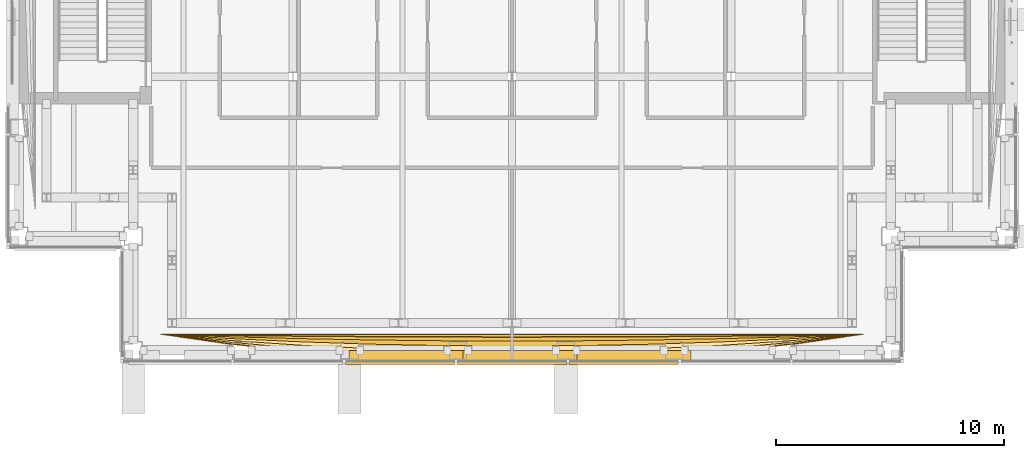
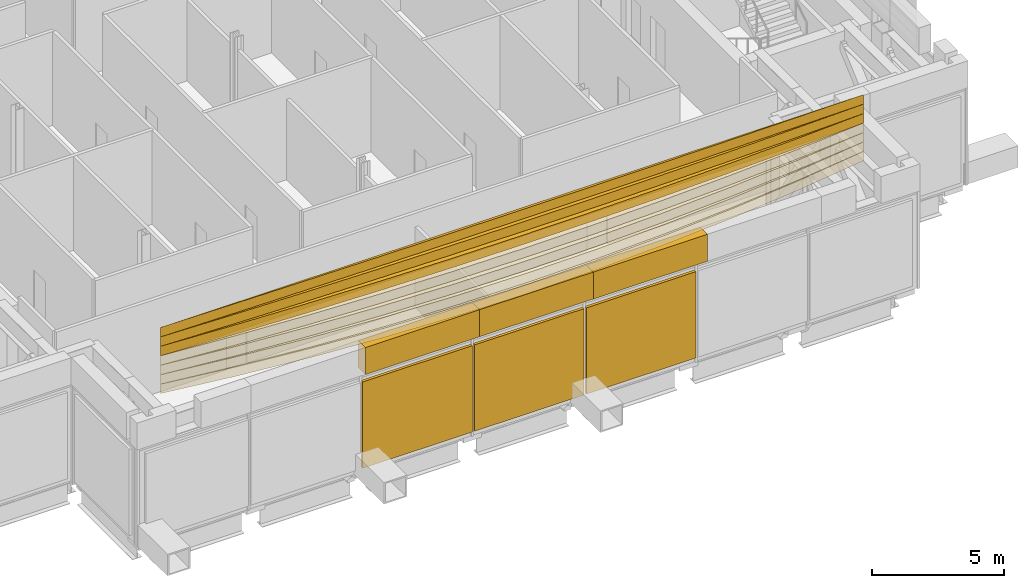
# One storey, part 18 of 29: 13 coverings.
"""IFC4 building model written with IfcOpenShell, lengths in metres."""

import ifcopenshell
import ifcopenshell.guid

model = None  # the IFC model being written
_history = None  # IfcOwnerHistory: only IFC2X3 demands one
_inside = {}  # id of a spatial element -> (the spatial element, [elements in it])
_under = {}  # id of a project, library or spatial element -> (it, [spatial elements below it])
_declared = {}  # id of a project -> (the project, [libraries it declares])
_typed = {}  # id of a type object -> (the type object, [elements of that type])
_made_of = {}  # id of a material, layer set ... -> (it, [elements and type objects made of it])


def new_model(schema):
    """Start an empty IFC model of exactly this schema.

    Asked for "IFC4X3", IfcOpenShell would pick the latest addendum, in which some entities
    have other attributes; the version numbers below select the first issue.
    IFC2X3 requires an IfcOwnerHistory on every rooted entity: one is made here for all.
    """
    global model, _history
    if schema == "IFC4X3":
        model = ifcopenshell.file(schema_version=(4, 3, 0, 0))
    else:
        model = ifcopenshell.file(schema=schema)
    _inside.clear()
    _under.clear()
    _declared.clear()
    _typed.clear()
    _made_of.clear()
    _history = None
    if model.schema == "IFC2X3":
        org = make("IfcOrganization", Name="unknown")
        user = make(
            "IfcPersonAndOrganization",
            ThePerson=make("IfcPerson", FamilyName="unknown"),
            TheOrganization=org,
        )
        app = make(
            "IfcApplication",
            ApplicationDeveloper=org,
            Version="unknown",
            ApplicationFullName="unknown",
            ApplicationIdentifier="unknown",
        )
        _history = make(
            "IfcOwnerHistory",
            OwningUser=user,
            OwningApplication=app,
            ChangeAction="ADDED",
            CreationDate=0,
        )
    return model


def make(cls, **values):
    """One entity of the class cls with the attributes given. An attribute that is None is left unset."""
    return model.create_entity(
        cls, **{name: value for name, value in values.items() if value is not None}
    )


def rooted(cls, **values):
    """An entity with a GlobalId (a new one), such as an element, a storey or a relation."""
    return make(cls, GlobalId=ifcopenshell.guid.new(), OwnerHistory=_history, **values)


def si_unit(unit_type, name, prefix=None):
    """IfcSIUnit, for example si_unit("LENGTHUNIT", "METRE", prefix="MILLI")."""
    return make("IfcSIUnit", UnitType=unit_type, Prefix=prefix, Name=name)


def assignment(units):
    """IfcUnitAssignment: the units of a project."""
    return None if units is None else make("IfcUnitAssignment", Units=units)


def point(xyz):
    """IfcCartesianPoint."""
    return None if xyz is None else make("IfcCartesianPoint", Coordinates=xyz)


def direction(xyz):
    """IfcDirection."""
    return None if xyz is None else make("IfcDirection", DirectionRatios=xyz)


def frame(location, z_axis=None, x_axis=None):
    """IfcAxis2Placement3D, a coordinate frame: its origin and axes. An axis left out is left unset."""
    return make(
        "IfcAxis2Placement3D",
        Location=point(location),
        Axis=direction(z_axis),
        RefDirection=direction(x_axis),
    )


def frame_2d(location, x_axis=None):
    """IfcAxis2Placement2D, a coordinate frame in the plane: its origin and x axis."""
    return make(
        "IfcAxis2Placement2D", Location=point(location), RefDirection=direction(x_axis)
    )


def origin():
    """The frame at (0, 0, 0) with its axes left unset."""
    return frame((0.0, 0.0, 0.0))


def origin_2d():
    """The frame at (0, 0) in the plane with its x axis left unset."""
    return frame_2d((0.0, 0.0))


def place(relative_to, where):
    """IfcLocalPlacement: puts the frame where relative to a parent placement (None: the world)."""
    return make(
        "IfcLocalPlacement", PlacementRelTo=relative_to, RelativePlacement=where
    )


def context(
    kind, dimensions, precision=None, world=None, true_north=None, identifier=None
):
    """IfcGeometricRepresentationContext, for example the 3D "Model" context."""
    return make(
        "IfcGeometricRepresentationContext",
        ContextIdentifier=identifier,
        ContextType=kind,
        CoordinateSpaceDimension=dimensions,
        Precision=precision,
        WorldCoordinateSystem=world,
        TrueNorth=true_north,
    )


def subcontext(parent, identifier, kind, view, scale=None):
    """IfcGeometricRepresentationSubContext, for example "Body" below "Model"."""
    return make(
        "IfcGeometricRepresentationSubContext",
        ContextIdentifier=identifier,
        ContextType=kind,
        ParentContext=parent,
        TargetScale=scale,
        TargetView=view,
    )


def project(units=None, contexts=None):
    """IfcProject with its units and contexts."""
    return rooted(
        "IfcProject",
        Name="project",
        RepresentationContexts=contexts,
        UnitsInContext=assignment(units),
    )


def spatial(cls, under=None, at=None, **own):
    """A site, building, storey or space (cls), placed at a placement, below another one or the project."""
    s = rooted(cls, ObjectPlacement=at, **own)
    if under is not None:
        _under.setdefault(under.id(), (under, []))[1].append(s)
    return s


def polyline(points):
    """IfcPolyline through the points."""
    return make("IfcPolyline", Points=[point(p) for p in points])


def profile(cls, at=None, kind="AREA", **sizes):
    """A parametric profile (cls). Its sizes go by their IFC names, for example OverallWidth=200.0."""
    return make(cls, ProfileType=kind, Position=at, **sizes)


def rectangle(**sizes):
    """IfcRectangleProfileDef."""
    return profile("IfcRectangleProfileDef", **sizes)


def outline(outer, holes=None, kind="AREA"):
    """IfcArbitraryClosedProfileDef: a profile drawn as a closed curve; with holes, ...WithVoids."""
    if holes is None:
        return make("IfcArbitraryClosedProfileDef", ProfileType=kind, OuterCurve=outer)
    return make(
        "IfcArbitraryProfileDefWithVoids",
        ProfileType=kind,
        OuterCurve=outer,
        InnerCurves=holes,
    )


def extrude(swept, where, along, depth):
    """IfcExtrudedAreaSolid: the profile swept, set in the frame where, extruded along a direction by depth."""
    return make(
        "IfcExtrudedAreaSolid",
        SweptArea=swept,
        Position=where,
        ExtrudedDirection=direction(along),
        Depth=depth,
    )


def shape(context_of_items, identifier, shape_type, items):
    """IfcShapeRepresentation: the items that make up one representation, for example the "Body"."""
    return make(
        "IfcShapeRepresentation",
        ContextOfItems=context_of_items,
        RepresentationIdentifier=identifier,
        RepresentationType=shape_type,
        Items=items,
    )


def material(Name=None, Category=None):
    """IfcMaterial."""
    return make("IfcMaterial", Name=Name, Category=Category)


def made_of(thing, what):
    """Note that an element or type object is made of a material, layer set ...; save() writes the relation."""
    if what is not None:
        _made_of.setdefault(what.id(), (what, []))[1].append(thing)
    return thing


def type_object(cls, material=None, **own):
    """A type object (cls), such as IfcWallType, which elements share."""
    return made_of(rooted(cls, **own), material)


def element(
    cls,
    number,
    at=None,
    inside=None,
    cuts=None,
    type_object=None,
    material=None,
    context=None,
    identifier="Body",
    shape_type=None,
    held_by="IfcProductDefinitionShape",
    body=None,
    shapes=None,
    **own,
):
    """One element of the class cls, such as IfcWall. Its Tag is "e" and its number.

    at: its placement. inside: the storey or other place that contains it. cuts: it is an
    opening in that element (IfcRelVoidsElement). A single representation is given by context,
    identifier, shape_type and body (its items); several are given by shapes. held_by: the class
    of the entity that holds the representations. save() writes the other relations.
    """
    e = rooted(cls, Tag="e%d" % number, ObjectPlacement=at, **own)
    if body is not None:
        shapes = [shape(context, identifier, shape_type, body)]
    if shapes is not None:
        e.Representation = make(held_by, Representations=shapes)
    if inside is not None:
        _inside.setdefault(inside.id(), (inside, []))[1].append(e)
    if cuts is not None:
        rooted(
            "IfcRelVoidsElement", RelatingBuildingElement=cuts, RelatedOpeningElement=e
        )
    if type_object is not None:
        _typed.setdefault(type_object.id(), (type_object, []))[1].append(e)
    return made_of(e, material)


def aggregate(whole, parts):
    """IfcRelAggregates: a whole, such as a stair, and the parts it consists of."""
    return rooted("IfcRelAggregates", RelatingObject=whole, RelatedObjects=parts)


def save(model, path):
    """Write the relations noted so far, then the file.

    IfcRelAggregates (storeys below a building ...), IfcRelContainedInSpatialStructure (elements
    in a storey), IfcRelDefinesByType, IfcRelAssociatesMaterial and IfcRelDeclares: one each for
    every whole, place, type object, material and project.
    """
    for whole, parts in _under.values():
        aggregate(whole, parts)
    for where, things in _inside.values():
        rooted(
            "IfcRelContainedInSpatialStructure",
            RelatedElements=things,
            RelatingStructure=where,
        )
    for kind, things in _typed.values():
        rooted("IfcRelDefinesByType", RelatedObjects=things, RelatingType=kind)
    for what, things in _made_of.values():
        rooted("IfcRelAssociatesMaterial", RelatedObjects=things, RelatingMaterial=what)
    for by, libraries in _declared.values():
        rooted("IfcRelDeclares", RelatingContext=by, RelatedDefinitions=libraries)
    model.write(path)


model = new_model("IFC4")

# Units and contexts
model_context = context("Model", 3, precision=1e-05, world=origin(), true_north=direction((0.0, 1.0)))
body_context = subcontext(model_context, "Body", "Model", "MODEL_VIEW")
ifc_project = project(units=[si_unit("LENGTHUNIT", "METRE"), si_unit("AREAUNIT", "SQUARE_METRE"), si_unit("VOLUMEUNIT", "CUBIC_METRE"), si_unit("PLANEANGLEUNIT", "RADIAN"), si_unit("MASSUNIT", "GRAM", prefix="KILO")], contexts=[model_context])

# Site, building, storey
site_placement = place(None, origin())
site = spatial("IfcSite", under=ifc_project, at=site_placement, CompositionType="ELEMENT")
building_placement = place(site_placement, origin())
building = spatial("IfcBuilding", under=site, at=building_placement, Name="Cobrizo Arcos Hotel Tower", CompositionType="ELEMENT")
storey_placement = place(building_placement, frame((0.0, 0.0, 186.5)))
storey = spatial("IfcBuildingStorey", under=building, at=storey_placement, Name="L48", CompositionType="ELEMENT", Elevation=186.5)

# Coverings
ifc_material_1 = material(Name="Aluminium 6063-T6 anodised pale", Category="aluminium")
covering_type_1 = type_object("IfcCoveringType", Name="LF-1 setback skirt", PredefinedType="CLADDING", material=ifc_material_1)
covering_1_placement = place(storey_placement, frame((0.0, 0.0, 4.5)))
element("IfcCovering", 1, at=covering_1_placement, inside=storey, type_object=covering_type_1, Name="Setback skirt L48", PredefinedType="CLADDING", context=body_context, shape_type="SweptSolid", body=[
    extrude(outline(polyline([(-2.14990234375, -21.610107421875), (-7.14990234375, -21.610107421875), (-7.14990234375, -22.14990234375), (-2.14990234375, -22.14990234375), (-2.14990234375, -21.610107421875)])), origin(), (0.0, 0.0, 1.0), 1.25),
])
covering_2_placement = place(storey_placement, frame((0.0, 0.0, 4.5)))
element("IfcCovering", 2, at=covering_2_placement, inside=storey, type_object=covering_type_1, Name="Setback skirt L48", PredefinedType="CLADDING", context=body_context, shape_type="SweptSolid", body=[
    extrude(outline(polyline([(2.85009765625, -21.610107421875), (-2.14990234375, -21.610107421875), (-2.14990234375, -22.14990234375), (2.85009765625, -22.14990234375), (2.85009765625, -21.610107421875)])), origin(), (0.0, 0.0, 1.0), 1.25),
])
covering_3_placement = place(storey_placement, frame((0.0, 0.0, 4.5)))
element("IfcCovering", 3, at=covering_3_placement, inside=storey, type_object=covering_type_1, Name="Setback skirt L48", PredefinedType="CLADDING", context=body_context, shape_type="SweptSolid", body=[
    extrude(outline(polyline([(7.85009765625, -21.610107421875), (2.85009765625, -21.610107421875), (2.85009765625, -22.14990234375), (7.85009765625, -22.14990234375), (7.85009765625, -21.610107421875)])), origin(), (0.0, 0.0, 1.0), 1.25),
])
covering_type_2 = type_object("IfcCoveringType", Name="LF-2 setback roll course", PredefinedType="CLADDING", material=ifc_material_1)
covering_4_placement = place(storey_placement, frame((0.0, 0.0, 5.75)))
element("IfcCovering", 4, at=covering_4_placement, inside=storey, type_object=covering_type_2, Name="Setback roll L48 S", PredefinedType="CLADDING", context=body_context, shape_type="SweptSolid", body=[
    extrude(outline(polyline([(-15.39990234375, -20.89990234375), (-12.320068359375, -21.344970703125), (-9.239990234375, -21.69091796875), (-6.159912109375, -21.938232421875), (-3.080078125, -22.08642578125), (0.0, -22.135986328125), (3.080078125, -22.08642578125), (6.159912109375, -21.938232421875), (9.239990234375, -21.69091796875), (12.320068359375, -21.344970703125), (15.39990234375, -20.89990234375), (15.39990234375, -20.89990234375), (-15.39990234375, -20.89990234375)])), origin(), (0.0, 0.0, 1.0), 0.4375),
])
covering_5_placement = place(storey_placement, frame((0.0, 0.0, 6.1875)))
element("IfcCovering", 5, at=covering_5_placement, inside=storey, type_object=covering_type_2, Name="Setback roll L48 S", PredefinedType="CLADDING", context=body_context, shape_type="SweptSolid", body=[
    extrude(outline(polyline([(-15.39990234375, -20.89990234375), (-12.320068359375, -21.30859375), (-9.239990234375, -21.626220703125), (-6.159912109375, -21.85302734375), (-3.080078125, -21.9892578125), (0.0, -22.03466796875), (3.080078125, -21.9892578125), (6.159912109375, -21.85302734375), (9.239990234375, -21.626220703125), (12.320068359375, -21.30859375), (15.39990234375, -20.89990234375), (15.39990234375, -20.89990234375), (-15.39990234375, -20.89990234375)])), origin(), (0.0, 0.0, 1.0), 0.4375),
])
covering_6_placement = place(storey_placement, frame((0.0, 0.0, 6.625)))
element("IfcCovering", 6, at=covering_6_placement, inside=storey, type_object=covering_type_2, Name="Setback roll L48 S", PredefinedType="CLADDING", context=body_context, shape_type="SweptSolid", body=[
    extrude(outline(polyline([(-15.39990234375, -20.89990234375), (-12.320068359375, -21.24560546875), (-9.239990234375, -21.514404296875), (-6.159912109375, -21.70654296875), (-3.080078125, -21.82177734375), (0.0, -21.860107421875), (3.080078125, -21.82177734375), (6.159912109375, -21.70654296875), (9.239990234375, -21.514404296875), (12.320068359375, -21.24560546875), (15.39990234375, -20.89990234375), (15.39990234375, -20.89990234375), (-15.39990234375, -20.89990234375)])), origin(), (0.0, 0.0, 1.0), 0.4375),
])
covering_7_placement = place(storey_placement, frame((0.0, 0.0, 7.0625)))
element("IfcCovering", 7, at=covering_7_placement, inside=storey, type_object=covering_type_2, Name="Setback roll L48 S", PredefinedType="CLADDING", context=body_context, shape_type="SweptSolid", body=[
    extrude(outline(polyline([(-15.39990234375, -20.89990234375), (-12.320068359375, -21.1669921875), (-9.239990234375, -21.37451171875), (-6.159912109375, -21.52294921875), (-3.080078125, -21.61181640625), (0.0, -21.6416015625), (3.080078125, -21.61181640625), (6.159912109375, -21.52294921875), (9.239990234375, -21.37451171875), (12.320068359375, -21.1669921875), (15.39990234375, -20.89990234375), (15.39990234375, -20.89990234375), (-15.39990234375, -20.89990234375)])), origin(), (0.0, 0.0, 1.0), 0.4375),
])
covering_8_placement = place(storey_placement, frame((0.0, 0.0, 7.5)))
element("IfcCovering", 8, at=covering_8_placement, inside=storey, type_object=covering_type_2, Name="Setback roll L48 S", PredefinedType="CLADDING", context=body_context, shape_type="SweptSolid", body=[
    extrude(outline(polyline([(-15.39990234375, -20.89990234375), (-12.320068359375, -21.0830078125), (-9.239990234375, -21.225341796875), (-6.159912109375, -21.3271484375), (-3.080078125, -21.38818359375), (0.0, -21.408447265625), (3.080078125, -21.38818359375), (6.159912109375, -21.3271484375), (9.239990234375, -21.225341796875), (12.320068359375, -21.0830078125), (15.39990234375, -20.89990234375), (15.39990234375, -20.89990234375), (-15.39990234375, -20.89990234375)])), origin(), (0.0, 0.0, 1.0), 0.4375),
])
covering_9_placement = place(storey_placement, frame((0.0, 0.0, 7.9375)))
element("IfcCovering", 9, at=covering_9_placement, inside=storey, type_object=covering_type_2, Name="Setback roll L48 S", PredefinedType="CLADDING", context=body_context, shape_type="SweptSolid", body=[
    extrude(outline(polyline([(-15.39990234375, -20.89990234375), (-12.320068359375, -21.00439453125), (-9.239990234375, -21.08544921875), (-6.159912109375, -21.1435546875), (-3.080078125, -21.17822265625), (0.0, -21.18994140625), (3.080078125, -21.17822265625), (6.159912109375, -21.1435546875), (9.239990234375, -21.08544921875), (12.320068359375, -21.00439453125), (15.39990234375, -20.89990234375), (15.39990234375, -20.89990234375), (-15.39990234375, -20.89990234375)])), origin(), (0.0, 0.0, 1.0), 0.4375),
])
covering_10_placement = place(storey_placement, frame((0.0, 0.0, 8.375)))
element("IfcCovering", 10, at=covering_10_placement, inside=storey, type_object=covering_type_2, Name="Setback roll L48 S", PredefinedType="CLADDING", context=body_context, shape_type="SweptSolid", body=[
    extrude(outline(polyline([(-15.39990234375, -20.89990234375), (-12.320068359375, -20.94140625), (-9.239990234375, -20.973876953125), (-6.159912109375, -20.996826171875), (-3.080078125, -21.0107421875), (0.0, -21.015380859375), (3.080078125, -21.0107421875), (6.159912109375, -20.996826171875), (9.239990234375, -20.973876953125), (12.320068359375, -20.94140625), (15.39990234375, -20.89990234375), (15.39990234375, -20.89990234375), (-15.39990234375, -20.89990234375)])), origin(), (0.0, 0.0, 1.0), 0.4375),
])
ifc_material_2 = material(Name="Aluminium 6063-T6 anodised bronze", Category="aluminium")
covering_type_3 = type_object("IfcCoveringType", Name="LV-1 plant louvre band", PredefinedType="CLADDING", material=ifc_material_2)
for number, where, z_axis, x_axis, name in (
    (11, (-4.89990234375, -22.155029296875, 0.25), (0.0, 0.0, 1.0), (1.0, 0.0, 0.0), "louvre band 1668"),
    (12, (0.0, -22.155029296875, 0.25), (0.0, 0.0, 1.0), (1.0, 0.0, 0.0), "louvre band 1669"),
    (13, (4.89990234375, -22.155029296875, 0.25), (0.0, 0.0, 1.0), (1.0, 0.0, 0.0), "louvre band 1670"),
):
    element("IfcCovering", number, at=place(storey_placement, frame(where, z_axis=z_axis, x_axis=x_axis)), inside=storey, type_object=covering_type_3, Name=name, PredefinedType="CLADDING", context=body_context, shape_type="SweptSolid", body=[
        extrude(rectangle(XDim=4.800048828125, YDim=0.1201171875, at=origin_2d()), origin(), (0.0, 0.0, 1.0), 4.0),
    ])

save(model, "model.ifc")
